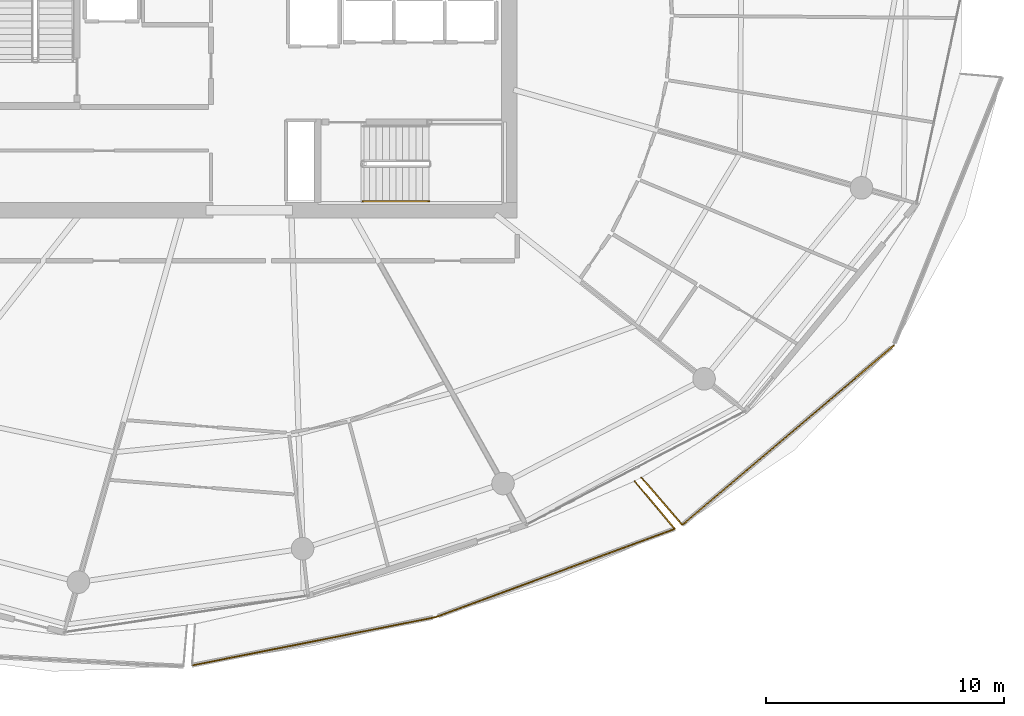
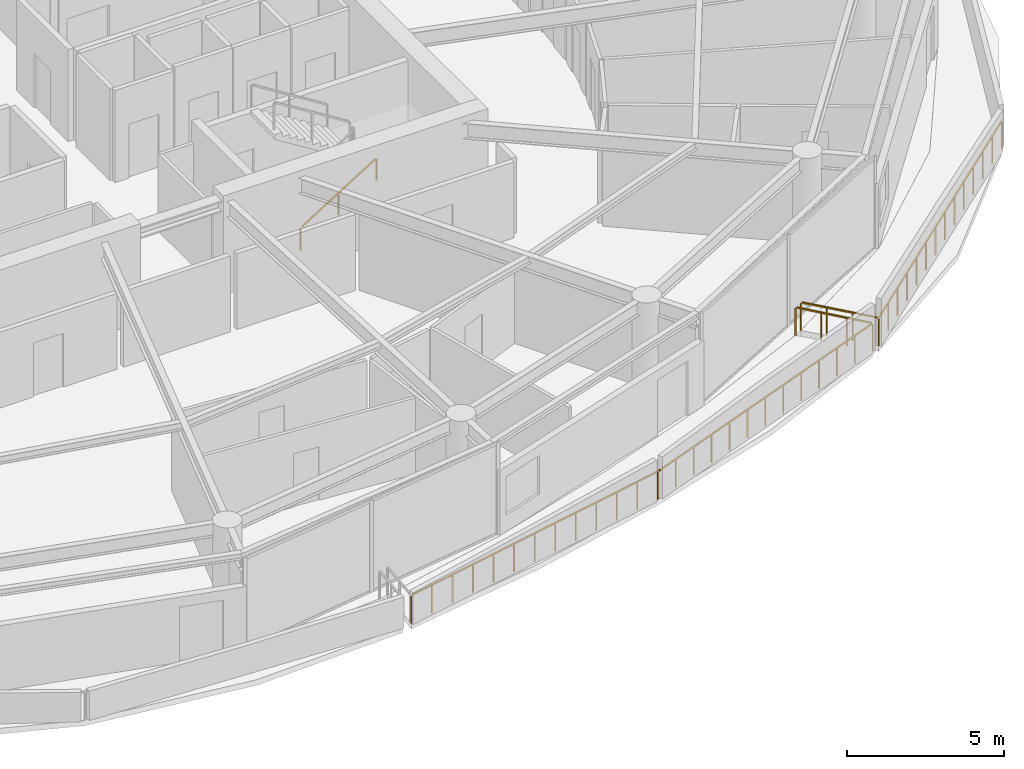
# One storey, part 26 of 30: 6 railings.
"""IFC4 building model written with IfcOpenShell, lengths in metres."""

import ifcopenshell
import ifcopenshell.guid

model = None  # the IFC model being written
_history = None  # IfcOwnerHistory: only IFC2X3 demands one
_inside = {}  # id of a spatial element -> (the spatial element, [elements in it])
_under = {}  # id of a project, library or spatial element -> (it, [spatial elements below it])
_declared = {}  # id of a project -> (the project, [libraries it declares])
_typed = {}  # id of a type object -> (the type object, [elements of that type])
_made_of = {}  # id of a material, layer set ... -> (it, [elements and type objects made of it])


def new_model(schema):
    """Start an empty IFC model of exactly this schema.

    Asked for "IFC4X3", IfcOpenShell would pick the latest addendum, in which some entities
    have other attributes; the version numbers below select the first issue.
    IFC2X3 requires an IfcOwnerHistory on every rooted entity: one is made here for all.
    """
    global model, _history
    if schema == "IFC4X3":
        model = ifcopenshell.file(schema_version=(4, 3, 0, 0))
    else:
        model = ifcopenshell.file(schema=schema)
    _inside.clear()
    _under.clear()
    _declared.clear()
    _typed.clear()
    _made_of.clear()
    _history = None
    if model.schema == "IFC2X3":
        org = make("IfcOrganization", Name="unknown")
        user = make(
            "IfcPersonAndOrganization",
            ThePerson=make("IfcPerson", FamilyName="unknown"),
            TheOrganization=org,
        )
        app = make(
            "IfcApplication",
            ApplicationDeveloper=org,
            Version="unknown",
            ApplicationFullName="unknown",
            ApplicationIdentifier="unknown",
        )
        _history = make(
            "IfcOwnerHistory",
            OwningUser=user,
            OwningApplication=app,
            ChangeAction="ADDED",
            CreationDate=0,
        )
    return model


def make(cls, **values):
    """One entity of the class cls with the attributes given. An attribute that is None is left unset."""
    return model.create_entity(
        cls, **{name: value for name, value in values.items() if value is not None}
    )


def rooted(cls, **values):
    """An entity with a GlobalId (a new one), such as an element, a storey or a relation."""
    return make(cls, GlobalId=ifcopenshell.guid.new(), OwnerHistory=_history, **values)


def si_unit(unit_type, name, prefix=None):
    """IfcSIUnit, for example si_unit("LENGTHUNIT", "METRE", prefix="MILLI")."""
    return make("IfcSIUnit", UnitType=unit_type, Prefix=prefix, Name=name)


def assignment(units):
    """IfcUnitAssignment: the units of a project."""
    return None if units is None else make("IfcUnitAssignment", Units=units)


def point(xyz):
    """IfcCartesianPoint."""
    return None if xyz is None else make("IfcCartesianPoint", Coordinates=xyz)


def direction(xyz):
    """IfcDirection."""
    return None if xyz is None else make("IfcDirection", DirectionRatios=xyz)


def frame(location, z_axis=None, x_axis=None):
    """IfcAxis2Placement3D, a coordinate frame: its origin and axes. An axis left out is left unset."""
    return make(
        "IfcAxis2Placement3D",
        Location=point(location),
        Axis=direction(z_axis),
        RefDirection=direction(x_axis),
    )


def frame_2d(location, x_axis=None):
    """IfcAxis2Placement2D, a coordinate frame in the plane: its origin and x axis."""
    return make(
        "IfcAxis2Placement2D", Location=point(location), RefDirection=direction(x_axis)
    )


def origin():
    """The frame at (0, 0, 0) with its axes left unset."""
    return frame((0.0, 0.0, 0.0))


def origin_2d():
    """The frame at (0, 0) in the plane with its x axis left unset."""
    return frame_2d((0.0, 0.0))


def place(relative_to, where):
    """IfcLocalPlacement: puts the frame where relative to a parent placement (None: the world)."""
    return make(
        "IfcLocalPlacement", PlacementRelTo=relative_to, RelativePlacement=where
    )


def context(
    kind, dimensions, precision=None, world=None, true_north=None, identifier=None
):
    """IfcGeometricRepresentationContext, for example the 3D "Model" context."""
    return make(
        "IfcGeometricRepresentationContext",
        ContextIdentifier=identifier,
        ContextType=kind,
        CoordinateSpaceDimension=dimensions,
        Precision=precision,
        WorldCoordinateSystem=world,
        TrueNorth=true_north,
    )


def subcontext(parent, identifier, kind, view, scale=None):
    """IfcGeometricRepresentationSubContext, for example "Body" below "Model"."""
    return make(
        "IfcGeometricRepresentationSubContext",
        ContextIdentifier=identifier,
        ContextType=kind,
        ParentContext=parent,
        TargetScale=scale,
        TargetView=view,
    )


def project(units=None, contexts=None):
    """IfcProject with its units and contexts."""
    return rooted(
        "IfcProject",
        Name="project",
        RepresentationContexts=contexts,
        UnitsInContext=assignment(units),
    )


def spatial(cls, under=None, at=None, **own):
    """A site, building, storey or space (cls), placed at a placement, below another one or the project."""
    s = rooted(cls, ObjectPlacement=at, **own)
    if under is not None:
        _under.setdefault(under.id(), (under, []))[1].append(s)
    return s


def profile(cls, at=None, kind="AREA", **sizes):
    """A parametric profile (cls). Its sizes go by their IFC names, for example OverallWidth=200.0."""
    return make(cls, ProfileType=kind, Position=at, **sizes)


def rectangle(**sizes):
    """IfcRectangleProfileDef."""
    return profile("IfcRectangleProfileDef", **sizes)


def extrude(swept, where, along, depth):
    """IfcExtrudedAreaSolid: the profile swept, set in the frame where, extruded along a direction by depth."""
    return make(
        "IfcExtrudedAreaSolid",
        SweptArea=swept,
        Position=where,
        ExtrudedDirection=direction(along),
        Depth=depth,
    )


def shape(context_of_items, identifier, shape_type, items):
    """IfcShapeRepresentation: the items that make up one representation, for example the "Body"."""
    return make(
        "IfcShapeRepresentation",
        ContextOfItems=context_of_items,
        RepresentationIdentifier=identifier,
        RepresentationType=shape_type,
        Items=items,
    )


def material(Name=None, Category=None):
    """IfcMaterial."""
    return make("IfcMaterial", Name=Name, Category=Category)


def made_of(thing, what):
    """Note that an element or type object is made of a material, layer set ...; save() writes the relation."""
    if what is not None:
        _made_of.setdefault(what.id(), (what, []))[1].append(thing)
    return thing


def type_object(cls, material=None, **own):
    """A type object (cls), such as IfcWallType, which elements share."""
    return made_of(rooted(cls, **own), material)


def element(
    cls,
    number,
    at=None,
    inside=None,
    cuts=None,
    type_object=None,
    material=None,
    context=None,
    identifier="Body",
    shape_type=None,
    held_by="IfcProductDefinitionShape",
    body=None,
    shapes=None,
    **own,
):
    """One element of the class cls, such as IfcWall. Its Tag is "e" and its number.

    at: its placement. inside: the storey or other place that contains it. cuts: it is an
    opening in that element (IfcRelVoidsElement). A single representation is given by context,
    identifier, shape_type and body (its items); several are given by shapes. held_by: the class
    of the entity that holds the representations. save() writes the other relations.
    """
    e = rooted(cls, Tag="e%d" % number, ObjectPlacement=at, **own)
    if body is not None:
        shapes = [shape(context, identifier, shape_type, body)]
    if shapes is not None:
        e.Representation = make(held_by, Representations=shapes)
    if inside is not None:
        _inside.setdefault(inside.id(), (inside, []))[1].append(e)
    if cuts is not None:
        rooted(
            "IfcRelVoidsElement", RelatingBuildingElement=cuts, RelatedOpeningElement=e
        )
    if type_object is not None:
        _typed.setdefault(type_object.id(), (type_object, []))[1].append(e)
    return made_of(e, material)


def aggregate(whole, parts):
    """IfcRelAggregates: a whole, such as a stair, and the parts it consists of."""
    return rooted("IfcRelAggregates", RelatingObject=whole, RelatedObjects=parts)


def save(model, path):
    """Write the relations noted so far, then the file.

    IfcRelAggregates (storeys below a building ...), IfcRelContainedInSpatialStructure (elements
    in a storey), IfcRelDefinesByType, IfcRelAssociatesMaterial and IfcRelDeclares: one each for
    every whole, place, type object, material and project.
    """
    for whole, parts in _under.values():
        aggregate(whole, parts)
    for where, things in _inside.values():
        rooted(
            "IfcRelContainedInSpatialStructure",
            RelatedElements=things,
            RelatingStructure=where,
        )
    for kind, things in _typed.values():
        rooted("IfcRelDefinesByType", RelatedObjects=things, RelatingType=kind)
    for what, things in _made_of.values():
        rooted("IfcRelAssociatesMaterial", RelatedObjects=things, RelatingMaterial=what)
    for by, libraries in _declared.values():
        rooted("IfcRelDeclares", RelatingContext=by, RelatedDefinitions=libraries)
    model.write(path)


model = new_model("IFC4")

# Units and contexts
model_context = context("Model", 3, precision=1e-05, world=origin(), true_north=direction((0.0, 1.0)))
body_context = subcontext(model_context, "Body", "Model", "MODEL_VIEW")
ifc_project = project(units=[si_unit("LENGTHUNIT", "METRE"), si_unit("AREAUNIT", "SQUARE_METRE"), si_unit("VOLUMEUNIT", "CUBIC_METRE"), si_unit("PLANEANGLEUNIT", "RADIAN"), si_unit("MASSUNIT", "GRAM", prefix="KILO")], contexts=[model_context])

# Site, building, storey
site_placement = place(None, origin())
site = spatial("IfcSite", under=ifc_project, at=site_placement, CompositionType="ELEMENT")
building_placement = place(site_placement, origin())
building = spatial("IfcBuilding", under=site, at=building_placement, Name="Kazma Halo Residences", CompositionType="ELEMENT")
storey_placement = place(building_placement, frame((0.0, 0.0, 255.949951171875)))
storey = spatial("IfcBuildingStorey", under=building, at=storey_placement, Name="L64", CompositionType="ELEMENT", Elevation=255.949951171875)

# Railings
ifc_material_1 = material(Name="Aluminium AW-6063 T6 Brushed Cap Rail", Category="aluminium")
railing_type_1 = type_object("IfcRailingType", Name="RLG-BAL-CAP-1120", PredefinedType="BALUSTRADE", material=ifc_material_1)
railing_1_placement = place(storey_placement, frame((46.005615234375, 14.513916015625, 0.0)))
element("IfcRailing", 1, at=railing_1_placement, inside=storey, type_object=railing_type_1, Name="L64 SSE wave balcony guard 2", PredefinedType="BALUSTRADE", context=body_context, shape_type="SweptSolid", body=[
    extrude(rectangle(XDim=0.050048828125, YDim=0.050048828125, at=origin_2d()), frame((0.041748046875, 0.00830078125, 1.09521484375), z_axis=(0.980921977936, 0.19440183436, 0.0), x_axis=(-0.19440183436, 0.980921977936, 0.0)), (0.0, 0.0, 1.0), 10.378662109375),
    extrude(rectangle(XDim=0.0400390625, YDim=0.0400390625, at=origin_2d()), origin(), (0.0, 0.0, 1.0), 1.05810546875),
    extrude(rectangle(XDim=0.0400390625, YDim=0.0400390625, at=origin_2d()), frame((0.85546875, 0.16943359375, 0.0)), (0.0, 0.0, 1.0), 1.05810546875),
    extrude(rectangle(XDim=0.0400390625, YDim=0.0400390625, at=origin_2d()), frame((1.710693359375, 0.339111328125, 0.0)), (0.0, 0.0, 1.0), 1.05810546875),
    extrude(rectangle(XDim=0.0400390625, YDim=0.0400390625, at=origin_2d()), frame((2.56591796875, 0.508544921875, 0.0)), (0.0, 0.0, 1.0), 1.05810546875),
    extrude(rectangle(XDim=0.0400390625, YDim=0.0400390625, at=origin_2d()), frame((3.42138671875, 0.677978515625, 0.0)), (0.0, 0.0, 1.0), 1.05810546875),
    extrude(rectangle(XDim=0.0400390625, YDim=0.0400390625, at=origin_2d()), frame((4.27685546875, 0.84765625, 0.0)), (0.0, 0.0, 1.0), 1.05810546875),
    extrude(rectangle(XDim=0.0400390625, YDim=0.0400390625, at=origin_2d()), frame((5.132080078125, 1.01708984375, 0.0)), (0.0, 0.0, 1.0), 1.05810546875),
    extrude(rectangle(XDim=0.0400390625, YDim=0.0400390625, at=origin_2d()), frame((5.9873046875, 1.1865234375, 0.0)), (0.0, 0.0, 1.0), 1.05810546875),
    extrude(rectangle(XDim=0.0400390625, YDim=0.0400390625, at=origin_2d()), frame((6.8427734375, 1.356201171875, 0.0)), (0.0, 0.0, 1.0), 1.05810546875),
    extrude(rectangle(XDim=0.0400390625, YDim=0.0400390625, at=origin_2d()), frame((7.6982421875, 1.525634765625, 0.0)), (0.0, 0.0, 1.0), 1.05810546875),
    extrude(rectangle(XDim=0.0400390625, YDim=0.0400390625, at=origin_2d()), frame((8.553466796875, 1.695068359375, 0.0)), (0.0, 0.0, 1.0), 1.05810546875),
    extrude(rectangle(XDim=0.0400390625, YDim=0.0400390625, at=origin_2d()), frame((9.40869140625, 1.86474609375, 0.0)), (0.0, 0.0, 1.0), 1.05810546875),
    extrude(rectangle(XDim=0.0400390625, YDim=0.0400390625, at=origin_2d()), frame((10.26416015625, 2.0341796875, 0.0)), (0.0, 0.0, 1.0), 1.05810546875),
])
railing_2_placement = place(storey_placement, frame((56.269775390625, 16.548095703125, 0.0)))
element("IfcRailing", 2, at=railing_2_placement, inside=storey, type_object=railing_type_1, Name="L64 SSE wave balcony guard 3", PredefinedType="BALUSTRADE", context=body_context, shape_type="SweptSolid", body=[
    extrude(rectangle(XDim=0.050048828125, YDim=0.050048828125, at=origin_2d()), frame((0.039794921875, 0.0146484375, 1.09521484375), z_axis=(0.938192314646, 0.34611440412, 0.0), x_axis=(-0.34611440412, 0.938192314646, 0.0)), (0.0, 0.0, 1.0), 10.645751953125),
    extrude(rectangle(XDim=0.0400390625, YDim=0.0400390625, at=origin_2d()), origin(), (0.0, 0.0, 1.0), 1.05810546875),
    extrude(rectangle(XDim=0.0400390625, YDim=0.0400390625, at=origin_2d()), frame((0.8388671875, 0.3095703125, 0.0)), (0.0, 0.0, 1.0), 1.05810546875),
    extrude(rectangle(XDim=0.0400390625, YDim=0.0400390625, at=origin_2d()), frame((1.677978515625, 0.619140625, 0.0)), (0.0, 0.0, 1.0), 1.05810546875),
    extrude(rectangle(XDim=0.0400390625, YDim=0.0400390625, at=origin_2d()), frame((2.516845703125, 0.928466796875, 0.0)), (0.0, 0.0, 1.0), 1.05810546875),
    extrude(rectangle(XDim=0.0400390625, YDim=0.0400390625, at=origin_2d()), frame((3.35595703125, 1.238037109375, 0.0)), (0.0, 0.0, 1.0), 1.05810546875),
    extrude(rectangle(XDim=0.0400390625, YDim=0.0400390625, at=origin_2d()), frame((4.19482421875, 1.547607421875, 0.0)), (0.0, 0.0, 1.0), 1.05810546875),
    extrude(rectangle(XDim=0.0400390625, YDim=0.0400390625, at=origin_2d()), frame((5.03369140625, 1.85693359375, 0.0)), (0.0, 0.0, 1.0), 1.05810546875),
    extrude(rectangle(XDim=0.0400390625, YDim=0.0400390625, at=origin_2d()), frame((5.872802734375, 2.16650390625, 0.0)), (0.0, 0.0, 1.0), 1.05810546875),
    extrude(rectangle(XDim=0.0400390625, YDim=0.0400390625, at=origin_2d()), frame((6.711669921875, 2.47607421875, 0.0)), (0.0, 0.0, 1.0), 1.05810546875),
    extrude(rectangle(XDim=0.0400390625, YDim=0.0400390625, at=origin_2d()), frame((7.55078125, 2.78564453125, 0.0)), (0.0, 0.0, 1.0), 1.05810546875),
    extrude(rectangle(XDim=0.0400390625, YDim=0.0400390625, at=origin_2d()), frame((8.3896484375, 3.09521484375, 0.0)), (0.0, 0.0, 1.0), 1.05810546875),
    extrude(rectangle(XDim=0.0400390625, YDim=0.0400390625, at=origin_2d()), frame((9.228759765625, 3.404541015625, 0.0)), (0.0, 0.0, 1.0), 1.05810546875),
    extrude(rectangle(XDim=0.0400390625, YDim=0.0400390625, at=origin_2d()), frame((10.067626953125, 3.714111328125, 0.0)), (0.0, 0.0, 1.0), 1.05810546875),
])
railing_3_placement = place(storey_placement, frame((66.33740234375, 20.26220703125, 0.0)))
element("IfcRailing", 3, at=railing_3_placement, inside=storey, type_object=railing_type_1, Name="L64 SSE wave balcony guard 4", PredefinedType="BALUSTRADE", context=body_context, shape_type="SweptSolid", body=[
    extrude(rectangle(XDim=0.050048828125, YDim=0.050048828125, at=origin_2d()), frame((-0.02734375, 0.032470703125, 1.09521484375), z_axis=(-0.644828498892, 0.764327290509, 0.0), x_axis=(-0.764327290509, -0.644828498892, 0.0)), (0.0, 0.0, 1.0), 2.540283203125),
    extrude(rectangle(XDim=0.0400390625, YDim=0.0400390625, at=origin_2d()), origin(), (0.0, 0.0, 1.0), 1.05810546875),
    extrude(rectangle(XDim=0.0400390625, YDim=0.0400390625, at=origin_2d()), frame((-0.564208984375, 0.6689453125, 0.0)), (0.0, 0.0, 1.0), 1.05810546875),
    extrude(rectangle(XDim=0.0400390625, YDim=0.0400390625, at=origin_2d()), frame((-1.128662109375, 1.337646484375, 0.0)), (0.0, 0.0, 1.0), 1.05810546875),
    extrude(rectangle(XDim=0.0400390625, YDim=0.0400390625, at=origin_2d()), frame((-1.69287109375, 2.006591796875, 0.0)), (0.0, 0.0, 1.0), 1.05810546875),
])
railing_4_placement = place(storey_placement, frame((64.93212890625, 22.41845703125, 0.0)))
element("IfcRailing", 4, at=railing_4_placement, inside=storey, type_object=railing_type_1, Name="L64 SE wave balcony guard 1", PredefinedType="BALUSTRADE", context=body_context, shape_type="SweptSolid", body=[
    extrude(rectangle(XDim=0.050048828125, YDim=0.050048828125, at=origin_2d()), frame((0.02783203125, -0.0322265625, 1.09521484375), z_axis=(0.654057200306, -0.756445093002, 0.0), x_axis=(0.756445093002, 0.654057200306, 0.0)), (0.0, 0.0, 1.0), 2.544921875),
    extrude(rectangle(XDim=0.0400390625, YDim=0.0400390625, at=origin_2d()), origin(), (0.0, 0.0, 1.0), 1.05810546875),
    extrude(rectangle(XDim=0.0400390625, YDim=0.0400390625, at=origin_2d()), frame((0.573486328125, -0.6630859375, 0.0)), (0.0, 0.0, 1.0), 1.05810546875),
    extrude(rectangle(XDim=0.0400390625, YDim=0.0400390625, at=origin_2d()), frame((1.146728515625, -1.326416015625, 0.0)), (0.0, 0.0, 1.0), 1.05810546875),
    extrude(rectangle(XDim=0.0400390625, YDim=0.0400390625, at=origin_2d()), frame((1.72021484375, -1.989501953125, 0.0)), (0.0, 0.0, 1.0), 1.05810546875),
])
railing_5_placement = place(storey_placement, frame((66.65234375, 20.428955078125, 0.0)))
element("IfcRailing", 5, at=railing_5_placement, inside=storey, type_object=railing_type_1, Name="L64 SE wave balcony guard 2", PredefinedType="BALUSTRADE", context=body_context, shape_type="SweptSolid", body=[
    extrude(rectangle(XDim=0.050048828125, YDim=0.050048828125, at=origin_2d()), frame((0.032470703125, 0.027587890625, 1.09521484375), z_axis=(0.762726414498, 0.646721282028, 0.0), x_axis=(-0.646721282028, 0.762726414498, 0.0)), (0.0, 0.0, 1.0), 11.570068359375),
    extrude(rectangle(XDim=0.0400390625, YDim=0.0400390625, at=origin_2d()), origin(), (0.0, 0.0, 1.0), 1.05810546875),
    extrude(rectangle(XDim=0.0400390625, YDim=0.0400390625, at=origin_2d()), frame((0.683837890625, 0.579833984375, 0.0)), (0.0, 0.0, 1.0), 1.05810546875),
    extrude(rectangle(XDim=0.0400390625, YDim=0.0400390625, at=origin_2d()), frame((1.36767578125, 1.15966796875, 0.0)), (0.0, 0.0, 1.0), 1.05810546875),
    extrude(rectangle(XDim=0.0400390625, YDim=0.0400390625, at=origin_2d()), frame((2.051513671875, 1.739501953125, 0.0)), (0.0, 0.0, 1.0), 1.05810546875),
    extrude(rectangle(XDim=0.0400390625, YDim=0.0400390625, at=origin_2d()), frame((2.7353515625, 2.3193359375, 0.0)), (0.0, 0.0, 1.0), 1.05810546875),
    extrude(rectangle(XDim=0.0400390625, YDim=0.0400390625, at=origin_2d()), frame((3.419189453125, 2.899169921875, 0.0)), (0.0, 0.0, 1.0), 1.05810546875),
    extrude(rectangle(XDim=0.0400390625, YDim=0.0400390625, at=origin_2d()), frame((4.10302734375, 3.47900390625, 0.0)), (0.0, 0.0, 1.0), 1.05810546875),
    extrude(rectangle(XDim=0.0400390625, YDim=0.0400390625, at=origin_2d()), frame((4.78662109375, 4.05859375, 0.0)), (0.0, 0.0, 1.0), 1.05810546875),
    extrude(rectangle(XDim=0.0400390625, YDim=0.0400390625, at=origin_2d()), frame((5.470458984375, 4.638427734375, 0.0)), (0.0, 0.0, 1.0), 1.05810546875),
    extrude(rectangle(XDim=0.0400390625, YDim=0.0400390625, at=origin_2d()), frame((6.154296875, 5.21826171875, 0.0)), (0.0, 0.0, 1.0), 1.05810546875),
    extrude(rectangle(XDim=0.0400390625, YDim=0.0400390625, at=origin_2d()), frame((6.838134765625, 5.798095703125, 0.0)), (0.0, 0.0, 1.0), 1.05810546875),
    extrude(rectangle(XDim=0.0400390625, YDim=0.0400390625, at=origin_2d()), frame((7.52197265625, 6.3779296875, 0.0)), (0.0, 0.0, 1.0), 1.05810546875),
    extrude(rectangle(XDim=0.0400390625, YDim=0.0400390625, at=origin_2d()), frame((8.205810546875, 6.957763671875, 0.0)), (0.0, 0.0, 1.0), 1.05810546875),
    extrude(rectangle(XDim=0.0400390625, YDim=0.0400390625, at=origin_2d()), frame((8.8896484375, 7.53759765625, 0.0)), (0.0, 0.0, 1.0), 1.05810546875),
])
ifc_material_2 = material(Name="Brushed Stainless Steel", Category="steel")
railing_type_2 = type_object("IfcRailingType", Name="RLG-STAIR-HND-900", PredefinedType="HANDRAIL", material=ifc_material_2)
railing_6_placement = place(storey_placement, frame((53.199951171875, 34.050048828125, 0.175048828125)))
element("IfcRailing", 6, at=railing_6_placement, inside=storey, type_object=railing_type_2, Name="L64 ST-03 stair handrail 1", PredefinedType="HANDRAIL", context=body_context, shape_type="SweptSolid", body=[
    extrude(rectangle(XDim=0.050048828125, YDim=0.050048828125, at=origin_2d()), frame((0.0361328125, 0.0, 0.8974609375), z_axis=(0.848002457836, 0.0, 0.529992293815), x_axis=(0.0, 1.0, 0.0)), (0.0, 0.0, 1.0), 3.216796875),
    extrude(rectangle(XDim=0.0400390625, YDim=0.0400390625, at=origin_2d()), origin(), (0.0, 0.0, 1.0), 0.837890625),
    extrude(rectangle(XDim=0.0400390625, YDim=0.0400390625, at=origin_2d()), frame((1.39990234375, 0.0, 0.875)), (0.0, 0.0, 1.0), 0.837890625),
    extrude(rectangle(XDim=0.0400390625, YDim=0.0400390625, at=origin_2d()), frame((2.800048828125, 0.0, 1.75)), (0.0, 0.0, 1.0), 0.837890625),
])

save(model, "model.ifc")
